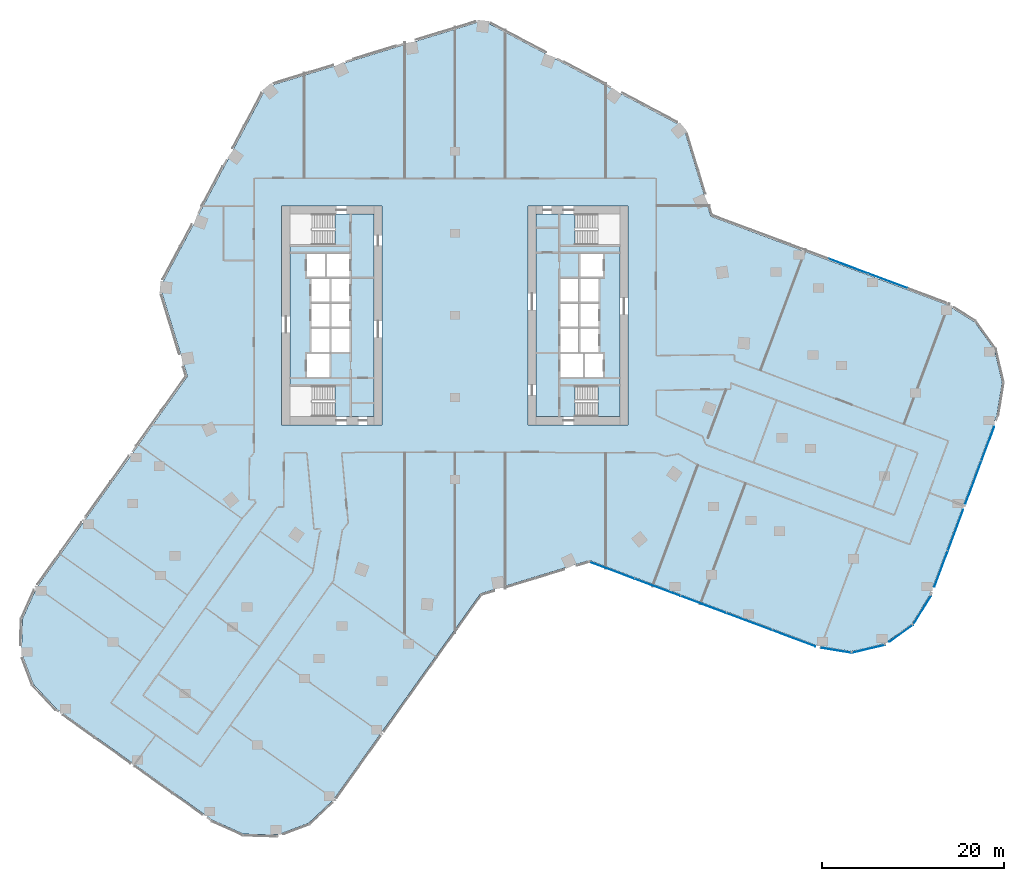
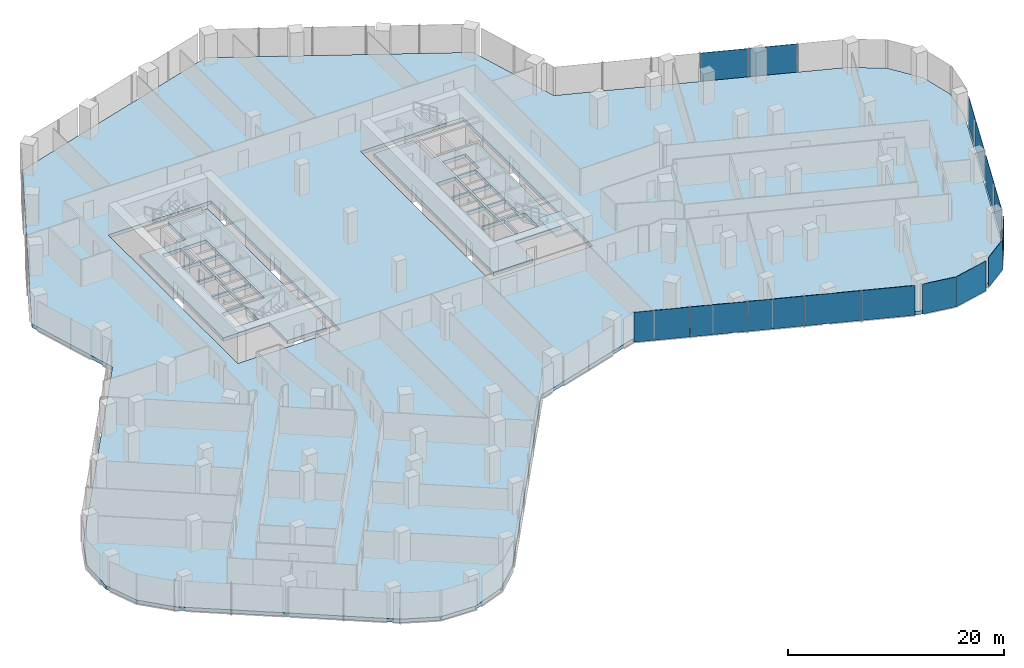
# One storey, part 19 of 31: 15 plates, 4 slabs, 8 elements without a shape of their own.
"""IFC4 building model written with IfcOpenShell, lengths in metres."""

from ifc_helpers import new_model, si_unit, direction, frame, origin, origin_2d, place, context, subcontext, project, spatial, polyline, rectangle, outline, extrude, material, layer, layer_set, type_object, element, aggregate, save


model = new_model("IFC4")

# Units and contexts
model_context = context("Model", 3, precision=1e-05, world=origin(), true_north=direction((0.0, 1.0)))
body_context = subcontext(model_context, "Body", "Model", "MODEL_VIEW")
ifc_project = project(units=[si_unit("LENGTHUNIT", "METRE"), si_unit("AREAUNIT", "SQUARE_METRE"), si_unit("VOLUMEUNIT", "CUBIC_METRE"), si_unit("PLANEANGLEUNIT", "RADIAN"), si_unit("MASSUNIT", "GRAM", prefix="KILO")], contexts=[model_context])

# Site, building, storey
site_placement = place(None, origin())
site = spatial("IfcSite", under=ifc_project, at=site_placement, CompositionType="ELEMENT")
building_placement = place(site_placement, origin())
building = spatial("IfcBuilding", under=site, at=building_placement, Name="Orlundy Tower", CompositionType="ELEMENT")
storey_placement = place(building_placement, frame((0.0, 0.0, 91.199951171875)))
storey = spatial("IfcBuildingStorey", under=building, at=storey_placement, Name="L22", CompositionType="ELEMENT", Elevation=91.199951171875)

# Curtain wall, plates
ifc_material_1 = material(Name="Aluminium bronze anodised", Category="aluminium")
curtain_wall_type = type_object("IfcCurtainWallType", Name="CW1 wall", PredefinedType="NOTDEFINED", material=ifc_material_1)
curtain_wall_1_placement = place(storey_placement, origin())
curtain_wall_1 = element("IfcCurtainWall", 1, at=curtain_wall_1_placement, inside=storey, type_object=curtain_wall_type, Name="CW1 run 06", PredefinedType="NOTDEFINED")
ifc_material_2 = material(Name="Tinted glass", Category="glass")
ifc_layer_1 = layer(ifc_material_2, 0.031982421875)
ifc_layer_set_1 = layer_set([ifc_layer_1], Name="CW1 glass panel 32")
plate_type = type_object("IfcPlateType", Name="CW1 glass panel 32", PredefinedType="CURTAIN_PANEL", material=ifc_layer_set_1)
plate_1_placement = place(storey_placement, frame((43.14990234375, 5.39404296875, -0.27978515625), z_axis=(0.0, 0.0, 1.0), x_axis=(0.93667352363, -0.350203812273, 0.0)))
plate_1 = element("IfcPlate", 2, at=plate_1_placement, type_object=plate_type, Name="CW1 panel", PredefinedType="CURTAIN_PANEL", context=body_context, shape_type="SweptSolid", body=[
    extrude(rectangle(XDim=4.538818359375, YDim=0.031982421875, at=origin_2d()), origin(), (0.0, 0.0, 1.0), 3.3798828125),
])
plate_2_placement = place(storey_placement, frame((47.4482421875, 3.787109375, -0.27978515625), z_axis=(0.0, 0.0, 1.0), x_axis=(0.93667352363, -0.350203812273, 0.0)))
plate_2 = element("IfcPlate", 3, at=plate_2_placement, type_object=plate_type, Name="CW1 panel", PredefinedType="CURTAIN_PANEL", context=body_context, shape_type="SweptSolid", body=[
    extrude(rectangle(XDim=4.538818359375, YDim=0.031982421875, at=origin_2d()), origin(), (0.0, 0.0, 1.0), 3.3798828125),
])
aggregate(curtain_wall_1, [plate_1, plate_2])

curtain_wall_2_placement = place(storey_placement, origin())
curtain_wall_2 = element("IfcCurtainWall", 4, at=curtain_wall_2_placement, inside=storey, type_object=curtain_wall_type, Name="CW1 run 011", PredefinedType="NOTDEFINED")
plate_3_placement = place(storey_placement, frame((58.4267578125, -14.09716796875, -0.27978515625), z_axis=(0.0, 0.0, 1.0), x_axis=(-0.350194360916, -0.936677057252, 0.0)))
plate_3 = element("IfcPlate", 5, at=plate_3_placement, type_object=plate_type, Name="CW1 panel", PredefinedType="CURTAIN_PANEL", context=body_context, shape_type="SweptSolid", body=[
    extrude(rectangle(XDim=3.96337890625, YDim=0.031982421875, at=origin_2d()), origin(), (0.0, 0.0, 1.0), 3.3798828125),
])
plate_4_placement = place(storey_placement, frame((56.8427734375, -18.33447265625, -0.27978515625), z_axis=(0.0, 0.0, 1.0), x_axis=(-0.350194360916, -0.936677057252, 0.0)))
plate_4 = element("IfcPlate", 6, at=plate_4_placement, type_object=plate_type, Name="CW1 panel", PredefinedType="CURTAIN_PANEL", context=body_context, shape_type="SweptSolid", body=[
    extrude(rectangle(XDim=4.98388671875, YDim=0.031982421875, at=origin_2d()), origin(), (0.0, 0.0, 1.0), 3.3798828125),
])
plate_5_placement = place(storey_placement, frame((54.889892578125, -23.557861328125, -0.27978515625), z_axis=(0.0, 0.0, 1.0), x_axis=(-0.350194360916, -0.936677057252, 0.0)))
plate_5 = element("IfcPlate", 7, at=plate_5_placement, type_object=plate_type, Name="CW1 panel", PredefinedType="CURTAIN_PANEL", context=body_context, shape_type="SweptSolid", body=[
    extrude(rectangle(XDim=4.76318359375, YDim=0.031982421875, at=origin_2d()), origin(), (0.0, 0.0, 1.0), 3.3798828125),
])
plate_6_placement = place(storey_placement, frame((53.3056640625, -27.795166015625, -0.27978515625), z_axis=(0.0, 0.0, 1.0), x_axis=(-0.350194360916, -0.936677057252, 0.0)))
plate_6 = element("IfcPlate", 8, at=plate_6_placement, type_object=plate_type, Name="CW1 panel", PredefinedType="CURTAIN_PANEL", context=body_context, shape_type="SweptSolid", body=[
    extrude(rectangle(XDim=4.184326171875, YDim=0.031982421875, at=origin_2d()), origin(), (0.0, 0.0, 1.0), 3.3798828125),
])
aggregate(curtain_wall_2, [plate_3, plate_4, plate_5, plate_6])

# Curtain wall, plate
curtain_wall_3_placement = place(storey_placement, origin())
curtain_wall_3 = element("IfcCurtainWall", 9, at=curtain_wall_3_placement, inside=storey, type_object=curtain_wall_type, Name="CW1 run 012", PredefinedType="NOTDEFINED")
plate_7_placement = place(storey_placement, frame((51.2080078125, -32.35205078125, -0.27978515625), z_axis=(0.0, 0.0, 1.0), x_axis=(-0.52630817917, -0.850293890686, 0.0)))
plate_7 = element("IfcPlate", 10, at=plate_7_placement, type_object=plate_type, Name="CW1 panel", PredefinedType="CURTAIN_PANEL", context=body_context, shape_type="SweptSolid", body=[
    extrude(rectangle(XDim=3.730712890625, YDim=0.031982421875, at=origin_2d()), origin(), (0.0, 0.0, 1.0), 3.3798828125),
])
aggregate(curtain_wall_3, [plate_7])

curtain_wall_4_placement = place(storey_placement, origin())
curtain_wall_4 = element("IfcCurtainWall", 11, at=curtain_wall_4_placement, inside=storey, type_object=curtain_wall_type, Name="CW1 run 013", PredefinedType="NOTDEFINED")
plate_8_placement = place(storey_placement, frame((48.9365234375, -34.86669921875, -0.27978515625), z_axis=(0.0, 0.0, 1.0), x_axis=(-0.811503638082, -0.584347367051, 0.0)))
plate_8 = element("IfcPlate", 12, at=plate_8_placement, type_object=plate_type, Name="CW1 panel", PredefinedType="CURTAIN_PANEL", context=body_context, shape_type="SweptSolid", body=[
    extrude(rectangle(XDim=3.178466796875, YDim=0.031982421875, at=origin_2d()), origin(), (0.0, 0.0, 1.0), 3.3798828125),
])
aggregate(curtain_wall_4, [plate_8])

curtain_wall_5_placement = place(storey_placement, origin())
curtain_wall_5 = element("IfcCurtainWall", 13, at=curtain_wall_5_placement, inside=storey, type_object=curtain_wall_type, Name="CW1 run 014", PredefinedType="NOTDEFINED")
plate_9_placement = place(storey_placement, frame((45.32958984375, -36.57470703125, -0.27978515625), z_axis=(0.0, 0.0, 1.0), x_axis=(-0.97335344577, -0.229309985845, 0.0)))
plate_9 = element("IfcPlate", 14, at=plate_9_placement, type_object=plate_type, Name="CW1 panel", PredefinedType="CURTAIN_PANEL", context=body_context, shape_type="SweptSolid", body=[
    extrude(rectangle(XDim=3.77197265625, YDim=0.031982421875, at=origin_2d()), origin(), (0.0, 0.0, 1.0), 3.3798828125),
])
aggregate(curtain_wall_5, [plate_9])

curtain_wall_6_placement = place(storey_placement, origin())
curtain_wall_6 = element("IfcCurtainWall", 15, at=curtain_wall_6_placement, inside=storey, type_object=curtain_wall_type, Name="CW1 run 015", PredefinedType="NOTDEFINED")
plate_10_placement = place(storey_placement, frame((41.84814453125, -36.739013671875, -0.27978515625), z_axis=(0.0, 0.0, 1.0), x_axis=(-0.986992343076, 0.160767268774, 0.0)))
plate_10 = element("IfcPlate", 16, at=plate_10_placement, type_object=plate_type, Name="CW1 panel", PredefinedType="CURTAIN_PANEL", context=body_context, shape_type="SweptSolid", body=[
    extrude(rectangle(XDim=3.334716796875, YDim=0.031982421875, at=origin_2d()), origin(), (0.0, 0.0, 1.0), 3.3798828125),
])
aggregate(curtain_wall_6, [plate_10])

# Curtain wall, plates
curtain_wall_7_placement = place(storey_placement, origin())
curtain_wall_7 = element("IfcCurtainWall", 17, at=curtain_wall_7_placement, inside=storey, type_object=curtain_wall_type, Name="CW1 run 016", PredefinedType="NOTDEFINED")
plate_11_placement = place(storey_placement, frame((37.13427734375, -35.41162109375, -0.27978515625), z_axis=(0.0, 0.0, 1.0), x_axis=(-0.936667840729, 0.350219011684, 0.0)))
plate_11 = element("IfcPlate", 18, at=plate_11_placement, type_object=plate_type, Name="CW1 panel", PredefinedType="CURTAIN_PANEL", context=body_context, shape_type="SweptSolid", body=[
    extrude(rectangle(XDim=5.0322265625, YDim=0.031982421875, at=origin_2d()), origin(), (0.0, 0.0, 1.0), 3.3798828125),
])
plate_12_placement = place(storey_placement, frame((32.245361328125, -33.58349609375, -0.27978515625), z_axis=(0.0, 0.0, 1.0), x_axis=(-0.936667840729, 0.350219011684, 0.0)))
plate_12 = element("IfcPlate", 19, at=plate_12_placement, type_object=plate_type, Name="CW1 panel", PredefinedType="CURTAIN_PANEL", context=body_context, shape_type="SweptSolid", body=[
    extrude(rectangle(XDim=5.306640625, YDim=0.031982421875, at=origin_2d()), origin(), (0.0, 0.0, 1.0), 3.3798828125),
])
plate_13_placement = place(storey_placement, frame((27.22802734375, -31.70751953125, -0.27978515625), z_axis=(0.0, 0.0, 1.0), x_axis=(-0.936667840729, 0.350219011684, 0.0)))
plate_13 = element("IfcPlate", 20, at=plate_13_placement, type_object=plate_type, Name="CW1 panel", PredefinedType="CURTAIN_PANEL", context=body_context, shape_type="SweptSolid", body=[
    extrude(rectangle(XDim=5.306640625, YDim=0.031982421875, at=origin_2d()), origin(), (0.0, 0.0, 1.0), 3.3798828125),
])
plate_14_placement = place(storey_placement, frame((22.210693359375, -29.83154296875, -0.27978515625), z_axis=(0.0, 0.0, 1.0), x_axis=(-0.936667840729, 0.350219011684, 0.0)))
plate_14 = element("IfcPlate", 21, at=plate_14_placement, type_object=plate_type, Name="CW1 panel", PredefinedType="CURTAIN_PANEL", context=body_context, shape_type="SweptSolid", body=[
    extrude(rectangle(XDim=5.306640625, YDim=0.031982421875, at=origin_2d()), origin(), (0.0, 0.0, 1.0), 3.3798828125),
])
plate_15_placement = place(storey_placement, frame((17.20751953125, -27.9609375, -0.27978515625), z_axis=(0.0, 0.0, 1.0), x_axis=(-0.936667840729, 0.350219011684, 0.0)))
plate_15 = element("IfcPlate", 22, at=plate_15_placement, type_object=plate_type, Name="CW1 panel", PredefinedType="CURTAIN_PANEL", context=body_context, shape_type="SweptSolid", body=[
    extrude(rectangle(XDim=5.27587890625, YDim=0.031982421875, at=origin_2d()), origin(), (0.0, 0.0, 1.0), 3.3798828125),
])
aggregate(curtain_wall_7, [plate_11, plate_12, plate_13, plate_14, plate_15])

# Slabs
ifc_material_3 = material(Name="Concrete C50/60", Category="concrete")
ifc_layer_2 = layer(ifc_material_3, 0.409912109375)
ifc_layer_set_2 = layer_set([ifc_layer_2], Name="Core Floor Slab 410")
slab_type_1 = type_object("IfcSlabType", Name="Core Floor Slab 410", PredefinedType="FLOOR", material=ifc_layer_set_2)
slab_1_placement = place(storey_placement, frame((0.0, 0.0, -0.409912109375)))
element("IfcSlab", 23, at=slab_1_placement, inside=storey, type_object=slab_type_1, Name="Core floor W18", PredefinedType="FLOOR", context=body_context, shape_type="SweptSolid", body=[
    extrude(outline(polyline([(-13.14501953125, 7.75), (-13.14501953125, 11.10009765625), (-8.89990234375, 11.10009765625), (-8.89990234375, -11.10009765625), (-13.14501953125, -11.10009765625), (-13.14501953125, -7.75), (-18.10009765625, -7.75), (-18.10009765625, 7.75), (-13.14501953125, 7.75)]), holes=[polyline([(-16.239990234375, -6.77490234375), (-13.739990234375, -6.77490234375), (-13.739990234375, -4.22509765625), (-16.239990234375, -4.22509765625), (-16.239990234375, -6.77490234375)]), polyline([(-13.5400390625, -1.47509765625), (-13.5400390625, -4.02490234375), (-11.5400390625, -4.02490234375), (-11.5400390625, -1.47509765625), (-13.5400390625, -1.47509765625)]), polyline([(-13.739990234375, -1.47509765625), (-15.739990234375, -1.47509765625), (-15.739990234375, -4.02490234375), (-13.739990234375, -4.02490234375), (-13.739990234375, -1.47509765625)]), polyline([(-11.5400390625, -1.27490234375), (-11.5400390625, 1.27490234375), (-13.5400390625, 1.27490234375), (-13.5400390625, -1.27490234375), (-11.5400390625, -1.27490234375)]), polyline([(-15.739990234375, -1.27490234375), (-13.739990234375, -1.27490234375), (-13.739990234375, 1.27490234375), (-15.739990234375, 1.27490234375), (-15.739990234375, -1.27490234375)]), polyline([(-13.5400390625, 4.02490234375), (-13.5400390625, 1.47509765625), (-11.5400390625, 1.47509765625), (-11.5400390625, 4.02490234375), (-13.5400390625, 4.02490234375)]), polyline([(-13.739990234375, 4.02490234375), (-15.739990234375, 4.02490234375), (-15.739990234375, 1.47509765625), (-13.739990234375, 1.47509765625), (-13.739990234375, 4.02490234375)]), polyline([(-11.5400390625, 4.22509765625), (-11.5400390625, 6.77490234375), (-14.0400390625, 6.77490234375), (-14.0400390625, 4.22509765625), (-11.5400390625, 4.22509765625)]), polyline([(-16.239990234375, 4.22509765625), (-14.239990234375, 4.22509765625), (-14.239990234375, 6.77490234375), (-16.239990234375, 6.77490234375), (-16.239990234375, 4.22509765625)])]), origin(), (0.0, 0.0, 1.0), 0.409912109375),
])
slab_2_placement = place(storey_placement, frame((0.0, 0.0, -0.409912109375)))
element("IfcSlab", 24, at=slab_2_placement, inside=storey, type_object=slab_type_1, Name="Core floor E18", PredefinedType="FLOOR", context=body_context, shape_type="SweptSolid", body=[
    extrude(outline(polyline([(13.14501953125, -7.75), (13.14501953125, -11.10009765625), (8.89990234375, -11.10009765625), (8.89990234375, 11.10009765625), (13.14501953125, 11.10009765625), (13.14501953125, 7.75), (18.10009765625, 7.75), (18.10009765625, -7.75), (13.14501953125, -7.75)]), holes=[polyline([(16.239990234375, 6.77490234375), (13.739990234375, 6.77490234375), (13.739990234375, 4.22509765625), (16.239990234375, 4.22509765625), (16.239990234375, 6.77490234375)]), polyline([(13.5400390625, 1.47509765625), (13.5400390625, 4.02490234375), (11.5400390625, 4.02490234375), (11.5400390625, 1.47509765625), (13.5400390625, 1.47509765625)]), polyline([(13.739990234375, 1.47509765625), (15.739990234375, 1.47509765625), (15.739990234375, 4.02490234375), (13.739990234375, 4.02490234375), (13.739990234375, 1.47509765625)]), polyline([(11.5400390625, 1.27490234375), (11.5400390625, -1.27490234375), (13.5400390625, -1.27490234375), (13.5400390625, 1.27490234375), (11.5400390625, 1.27490234375)]), polyline([(15.739990234375, 1.27490234375), (13.739990234375, 1.27490234375), (13.739990234375, -1.27490234375), (15.739990234375, -1.27490234375), (15.739990234375, 1.27490234375)]), polyline([(13.5400390625, -4.02490234375), (13.5400390625, -1.47509765625), (11.5400390625, -1.47509765625), (11.5400390625, -4.02490234375), (13.5400390625, -4.02490234375)]), polyline([(13.739990234375, -4.02490234375), (15.739990234375, -4.02490234375), (15.739990234375, -1.47509765625), (13.739990234375, -1.47509765625), (13.739990234375, -4.02490234375)]), polyline([(11.5400390625, -4.22509765625), (11.5400390625, -6.77490234375), (14.0400390625, -6.77490234375), (14.0400390625, -4.22509765625), (11.5400390625, -4.22509765625)]), polyline([(16.239990234375, -4.22509765625), (14.239990234375, -4.22509765625), (14.239990234375, -6.77490234375), (16.239990234375, -6.77490234375), (16.239990234375, -4.22509765625)])]), origin(), (0.0, 0.0, 1.0), 0.409912109375),
])

# Stair, slab
ifc_material_4 = material(Name="Concrete C50/60", Category="concrete")
stair_type = type_object("IfcStairType", Name="Exit Stair 20 risers", PredefinedType="HALF_TURN_STAIR", material=ifc_material_4)
stair_placement = place(storey_placement, origin())
stair = element("IfcStair", 25, at=stair_placement, inside=storey, type_object=stair_type, Name="L22 Exit Stair ST-E1", PredefinedType="HALF_TURN_STAIR")
ifc_material_5 = material(Name="Concrete C50/60", Category="concrete")
ifc_layer_3 = layer(ifc_material_5, 0.199951171875)
ifc_layer_set_3 = layer_set([ifc_layer_3], Name="Exit Stair Landing")
slab_type_2 = type_object("IfcSlabType", Name="Exit Stair Landing", PredefinedType="LANDING", material=ifc_layer_set_3)
slab_3_placement = place(storey_placement, frame((0.0, 0.0, 1.550048828125)))
slab_3 = element("IfcSlab", 26, at=slab_3_placement, type_object=slab_type_2, Name="ST-E1 landing 1", PredefinedType="LANDING", context=body_context, shape_type="SweptSolid", body=[
    extrude(outline(polyline([(15.659912109375, -11.10009765625), (18.10009765625, -11.10009765625), (18.10009765625, -7.75), (15.659912109375, -7.75), (15.659912109375, -11.10009765625)])), origin(), (0.0, 0.0, 1.0), 0.199951171875),
])
aggregate(stair, [slab_3])

# Slab
ifc_material_6 = material(Name="Concrete C45/55", Category="concrete")
ifc_layer_4 = layer(ifc_material_6, 0.39990234375)
ifc_layer_set_4 = layer_set([ifc_layer_4], Name="FLOOR SLAB THICK 400 C45/55")
slab_type_3 = type_object("IfcSlabType", Name="FLOOR SLAB THICK 400 C45/55", PredefinedType="FLOOR", material=ifc_layer_set_4)
slab_4_placement = place(storey_placement, frame((0.0, 0.0, -0.39990234375)))
element("IfcSlab", 27, at=slab_4_placement, inside=storey, type_object=slab_type_3, Name="Floor slab L22", PredefinedType="FLOOR", context=body_context, shape_type="SweptSolid", body=[
    extrude(outline(polyline([(-29.3291015625, -6.677001953125), (-32.322021484375, 3.112060546875), (-20.655029296875, 25.055908203125), (3.112060546875, 32.322021484375), (25.055908203125, 20.655029296875), (28.049072265625, 10.864990234375), (53.837890625, 1.222900390625), (56.989990234375, -0.72705078125), (59.155029296875, -3.736083984375), (60.0048828125, -7.343994140625), (59.408935546875, -11.001953125), (52.054931640625, -30.672119140625), (50.10400390625, -33.823974609375), (47.095947265625, -35.989990234375), (43.488037109375, -36.840087890625), (39.8291015625, -36.243896484375), (14.741943359375, -26.864013671875), (2.801025390625, -30.513916015625), (-13.333984375, -53.134033203125), (-16.032958984375, -55.674072265625), (-19.5, -56.987060546875), (-23.205078125, -56.8740234375), (-26.583984375, -55.35107421875), (-43.680908203125, -43.156982421875), (-46.220947265625, -40.45703125), (-47.533935546875, -36.989990234375), (-47.4208984375, -33.284912109375), (-45.89794921875, -29.906005859375), (-29.3291015625, -6.677001953125)]), holes=[polyline([(-8.0, -12.0), (-8.0, 12.0), (-19.0, 12.0), (-19.0, -12.0), (-8.0, -12.0)]), polyline([(19.0, -12.0), (19.0, 12.0), (8.0, 12.0), (8.0, -12.0), (19.0, -12.0)])]), origin(), (0.0, 0.0, 1.0), 0.39990234375),
])

save(model, "model.ifc")
